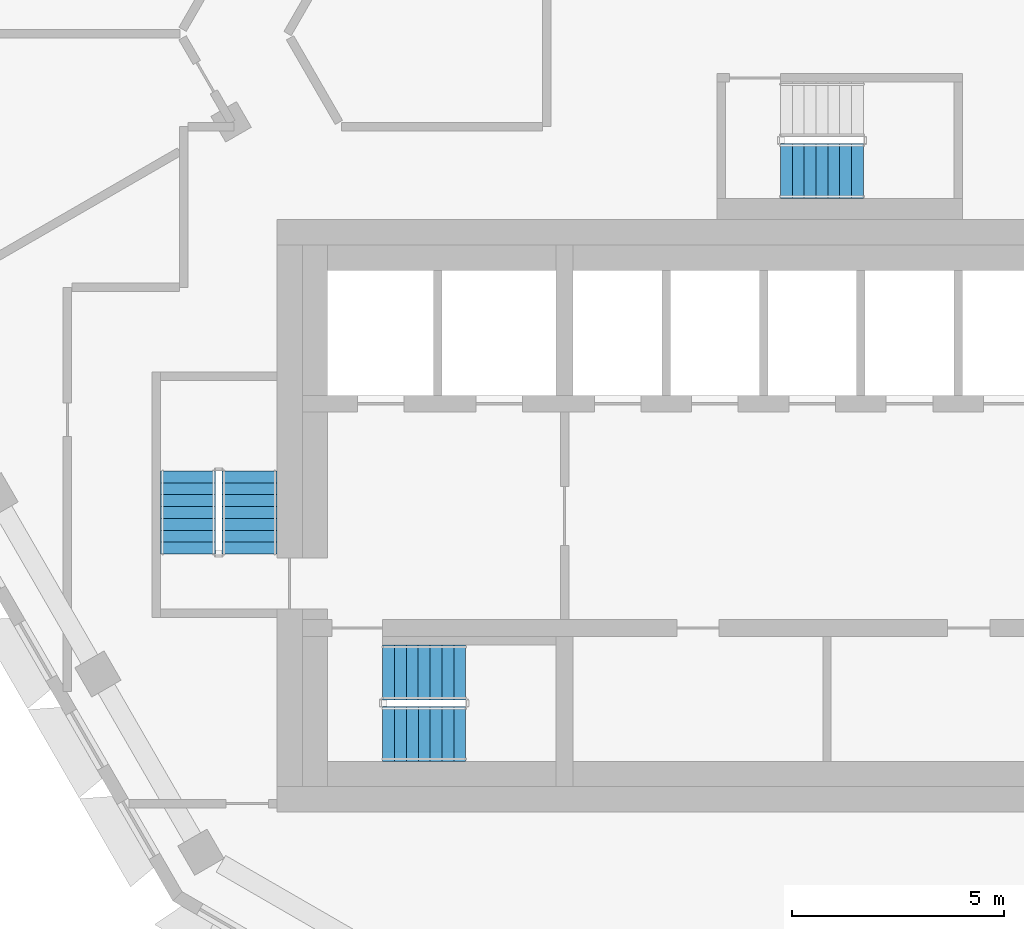
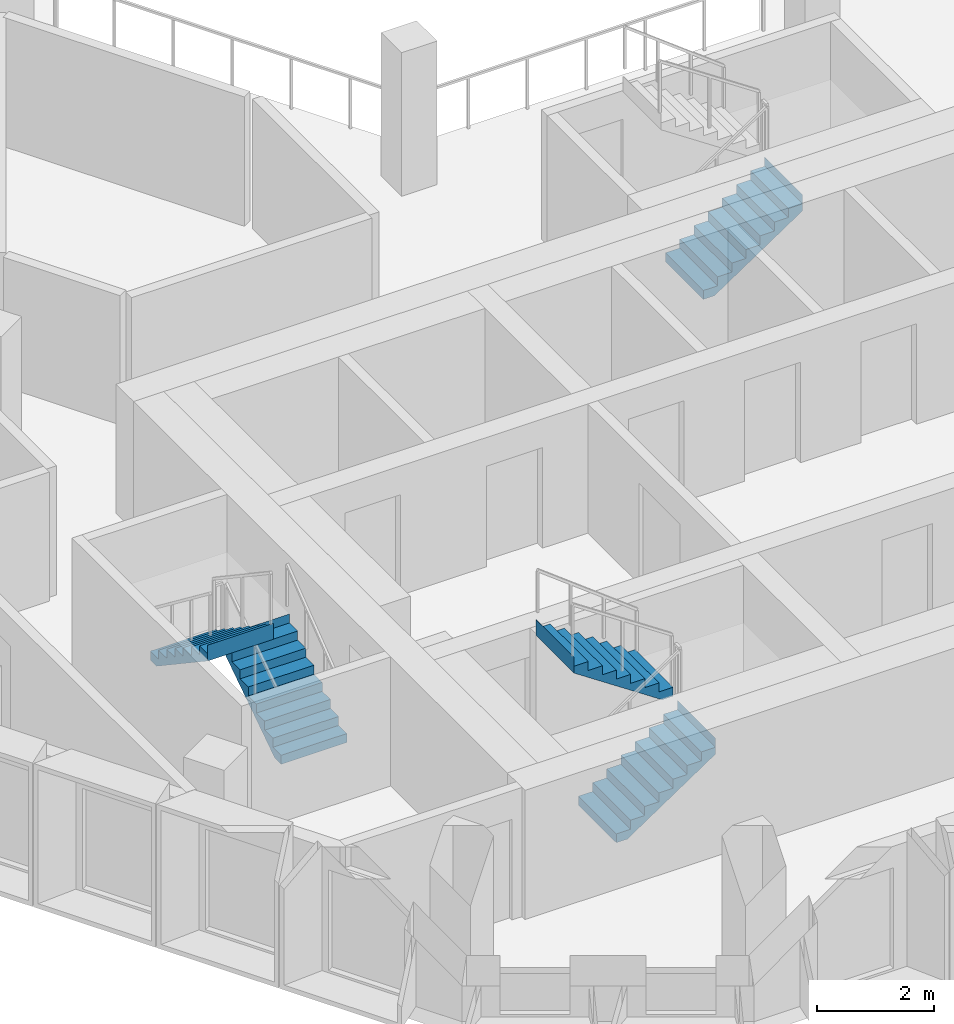
# One storey, part 11 of 17: 5 stair flights, 3 elements without a shape of their own.
"""IFC4 building model written with IfcOpenShell, lengths in metres."""

from ifc_helpers import new_model, si_unit, direction, frame, origin, place, context, subcontext, project, spatial, triangles, material, type_object, element, aggregate, save


model = new_model("IFC4")

# Units and contexts
model_context = context("Model", 3, precision=1e-05, world=origin(), true_north=direction((0.0, 1.0)))
body_context = subcontext(model_context, "Body", "Model", "MODEL_VIEW")
ifc_project = project(units=[si_unit("LENGTHUNIT", "METRE"), si_unit("AREAUNIT", "SQUARE_METRE"), si_unit("VOLUMEUNIT", "CUBIC_METRE"), si_unit("PLANEANGLEUNIT", "RADIAN"), si_unit("MASSUNIT", "GRAM", prefix="KILO")], contexts=[model_context])

# Site, building, storey
site_placement = place(None, origin())
site = spatial("IfcSite", under=ifc_project, at=site_placement, CompositionType="ELEMENT")
building_placement = place(site_placement, origin())
building = spatial("IfcBuilding", under=site, at=building_placement, Name="Beryl Residences", CompositionType="ELEMENT")
storey_placement = place(building_placement, frame((0.0, 0.0, 178.199951171875)))
storey = spatial("IfcBuildingStorey", under=building, at=storey_placement, Name="L54", CompositionType="ELEMENT", Elevation=178.199951171875)

# Stair, stair flights
ifc_material_1 = material(Name="Concrete C40/50", Category="concrete")
stair_type = type_object("IfcStairType", Name="ST1 protected exit stair, half-turn, 1300 mm flights", PredefinedType="HALF_TURN_STAIR", material=ifc_material_1)
stair_1_placement = place(storey_placement, origin())
stair_1 = element("IfcStair", 1, at=stair_1_placement, inside=storey, type_object=stair_type, Name="L54 PROTECTED EXIT STAIR ST-1", PredefinedType="HALF_TURN_STAIR")
ifc_material_2 = material(Name="Concrete C40/50", Category="concrete")
stair_flight_type = type_object("IfcStairFlightType", Name="SF1 stair flight 1300 mm", PredefinedType="STRAIGHT", material=ifc_material_2)
stair_flight_1_placement = place(storey_placement, frame((-10.800048828125, -17.14990234375, 0.0), z_axis=(0.0, 0.0, 1.0), x_axis=(1.0, 0.0, 0.0)))
stair_flight_1 = element("IfcStairFlight", 2, at=stair_flight_1_placement, type_object=stair_flight_type, Name="ST-1 flight 1", NumberOfRisers=8, NumberOfTreads=7, PredefinedType="STRAIGHT", RiserHeight=0.1875, TreadLength=0.28, context=body_context, shape_type="Tessellation", body=[
    triangles([(0.0, -0.64990234375, 0.0), (0.0, -0.324951171875, 0.0), (0.0, 0.0, 0.0), (0.0, 0.324951171875, 0.0), (0.0, 0.64990234375, 0.0), (0.0, -0.64990234375, 0.1875), (0.0, -0.324951171875, 0.1875), (0.0, 0.0, 0.1875), (0.0, 0.324951171875, 0.1875), (0.0, 0.64990234375, 0.1875), (0.280029296875, -0.64990234375, 0.1875), (0.280029296875, -0.324951171875, 0.1875), (0.280029296875, 0.0, 0.1875), (0.280029296875, 0.324951171875, 0.1875), (0.280029296875, 0.64990234375, 0.1875), (0.280029296875, -0.64990234375, 0.375), (0.280029296875, -0.324951171875, 0.375), (0.280029296875, 0.0, 0.375), (0.280029296875, 0.324951171875, 0.375), (0.280029296875, 0.64990234375, 0.375), (0.56005859375, -0.64990234375, 0.375), (0.56005859375, -0.324951171875, 0.375), (0.56005859375, 0.0, 0.375), (0.56005859375, 0.324951171875, 0.375), (0.56005859375, 0.64990234375, 0.375), (0.56005859375, -0.64990234375, 0.5625), (0.56005859375, -0.324951171875, 0.5625), (0.56005859375, 0.0, 0.5625), (0.56005859375, 0.324951171875, 0.5625), (0.56005859375, 0.64990234375, 0.5625), (0.840087890625, -0.64990234375, 0.5625), (0.840087890625, -0.324951171875, 0.5625), (0.840087890625, 0.0, 0.5625), (0.840087890625, 0.324951171875, 0.5625), (0.840087890625, 0.64990234375, 0.5625), (0.840087890625, -0.64990234375, 0.75), (0.840087890625, -0.324951171875, 0.75), (0.840087890625, 0.0, 0.75), (0.840087890625, 0.324951171875, 0.75), (0.840087890625, 0.64990234375, 0.75), (1.1201171875, -0.64990234375, 0.75), (1.1201171875, -0.324951171875, 0.75), (1.1201171875, 0.0, 0.75), (1.1201171875, 0.324951171875, 0.75), (1.1201171875, 0.64990234375, 0.75), (1.1201171875, -0.64990234375, 0.9375), (1.1201171875, -0.324951171875, 0.9375), (1.1201171875, 0.0, 0.9375), (1.1201171875, 0.324951171875, 0.9375), (1.1201171875, 0.64990234375, 0.9375), (1.39990234375, -0.64990234375, 0.9375), (1.39990234375, -0.324951171875, 0.9375), (1.39990234375, 0.0, 0.9375), (1.39990234375, 0.324951171875, 0.9375), (1.39990234375, 0.64990234375, 0.9375), (1.39990234375, -0.64990234375, 1.125), (1.39990234375, -0.324951171875, 1.125), (1.39990234375, 0.0, 1.125), (1.39990234375, 0.324951171875, 1.125), (1.39990234375, 0.64990234375, 1.125), (1.679931640625, -0.64990234375, 1.125), (1.679931640625, -0.324951171875, 1.125), (1.679931640625, 0.0, 1.125), (1.679931640625, 0.324951171875, 1.125), (1.679931640625, 0.64990234375, 1.125), (1.679931640625, -0.64990234375, 1.3125), (1.679931640625, -0.324951171875, 1.3125), (1.679931640625, 0.0, 1.3125), (1.679931640625, 0.324951171875, 1.3125), (1.679931640625, 0.64990234375, 1.3125), (1.9599609375, -0.64990234375, 1.3125), (1.9599609375, -0.324951171875, 1.3125), (1.9599609375, 0.0, 1.3125), (1.9599609375, 0.324951171875, 1.3125), (1.9599609375, 0.64990234375, 1.3125), (1.9599609375, -0.64990234375, 1.5), (1.9599609375, -0.324951171875, 1.5), (1.9599609375, 0.0, 1.5), (1.9599609375, 0.324951171875, 1.5), (1.9599609375, 0.64990234375, 1.5), (1.9609375, -0.64990234375, 1.5), (1.9609375, -0.324951171875, 1.5), (1.9609375, 0.0, 1.5), (1.9609375, 0.324951171875, 1.5), (1.9609375, 0.64990234375, 1.5), (1.9609375, -0.64990234375, 1.16796875), (1.9609375, -0.324951171875, 1.16796875), (1.9609375, 0.0, 1.16796875), (1.9609375, 0.324951171875, 1.16796875), (1.9609375, 0.64990234375, 1.16796875), (0.216796875, -0.64990234375, 0.0), (0.216796875, -0.324951171875, 0.0), (0.216796875, 0.0, 0.0), (0.216796875, 0.324951171875, 0.0), (0.216796875, 0.64990234375, 0.0)], [[1, 6, 7], [1, 7, 2], [2, 7, 8], [2, 8, 3], [3, 8, 9], [3, 9, 4], [4, 9, 10], [4, 10, 5], [6, 11, 12], [6, 12, 7], [7, 12, 13], [7, 13, 8], [8, 13, 14], [8, 14, 9], [9, 14, 15], [9, 15, 10], [11, 16, 17], [11, 17, 12], [12, 17, 18], [12, 18, 13], [13, 18, 19], [13, 19, 14], [14, 19, 20], [14, 20, 15], [16, 21, 22], [16, 22, 17], [17, 22, 23], [17, 23, 18], [18, 23, 24], [18, 24, 19], [19, 24, 25], [19, 25, 20], [21, 26, 27], [21, 27, 22], [22, 27, 28], [22, 28, 23], [23, 28, 29], [23, 29, 24], [24, 29, 30], [24, 30, 25], [26, 31, 32], [26, 32, 27], [27, 32, 33], [27, 33, 28], [28, 33, 34], [28, 34, 29], [29, 34, 35], [29, 35, 30], [31, 36, 37], [31, 37, 32], [32, 37, 38], [32, 38, 33], [33, 38, 39], [33, 39, 34], [34, 39, 40], [34, 40, 35], [36, 41, 42], [36, 42, 37], [37, 42, 43], [37, 43, 38], [38, 43, 44], [38, 44, 39], [39, 44, 45], [39, 45, 40], [41, 46, 47], [41, 47, 42], [42, 47, 48], [42, 48, 43], [43, 48, 49], [43, 49, 44], [44, 49, 50], [44, 50, 45], [46, 51, 52], [46, 52, 47], [47, 52, 53], [47, 53, 48], [48, 53, 54], [48, 54, 49], [49, 54, 55], [49, 55, 50], [51, 56, 57], [51, 57, 52], [52, 57, 58], [52, 58, 53], [53, 58, 59], [53, 59, 54], [54, 59, 60], [54, 60, 55], [56, 61, 62], [56, 62, 57], [57, 62, 63], [57, 63, 58], [58, 63, 64], [58, 64, 59], [59, 64, 65], [59, 65, 60], [61, 66, 67], [61, 67, 62], [62, 67, 68], [62, 68, 63], [63, 68, 69], [63, 69, 64], [64, 69, 70], [64, 70, 65], [66, 71, 72], [66, 72, 67], [67, 72, 73], [67, 73, 68], [68, 73, 74], [68, 74, 69], [69, 74, 75], [69, 75, 70], [71, 76, 77], [71, 77, 72], [72, 77, 78], [72, 78, 73], [73, 78, 79], [73, 79, 74], [74, 79, 80], [74, 80, 75], [76, 81, 82], [76, 82, 77], [77, 82, 83], [77, 83, 78], [78, 83, 84], [78, 84, 79], [79, 84, 85], [79, 85, 80], [81, 86, 87], [81, 87, 82], [82, 87, 88], [82, 88, 83], [83, 88, 89], [83, 89, 84], [84, 89, 90], [84, 90, 85], [86, 91, 92], [86, 92, 87], [87, 92, 93], [87, 93, 88], [88, 93, 94], [88, 94, 89], [89, 94, 95], [89, 95, 90], [91, 1, 2], [91, 2, 92], [92, 2, 3], [92, 3, 93], [93, 3, 4], [93, 4, 94], [94, 4, 5], [94, 5, 95], [1, 91, 86], [5, 90, 95], [86, 81, 76], [90, 80, 85], [86, 76, 71], [90, 75, 80], [86, 71, 66], [90, 70, 75], [86, 66, 61], [90, 65, 70], [61, 56, 51], [65, 55, 60], [86, 61, 51], [90, 55, 65], [51, 46, 41], [55, 45, 50], [86, 51, 41], [90, 45, 55], [41, 36, 31], [45, 35, 40], [86, 41, 31], [90, 35, 45], [31, 26, 21], [35, 25, 30], [86, 31, 21], [90, 25, 35], [21, 16, 11], [25, 15, 20], [86, 21, 11], [90, 15, 25], [1, 86, 11], [5, 15, 90], [11, 6, 1], [15, 5, 10]], closed=True),
])
stair_flight_2_placement = place(storey_placement, frame((-8.840087890625, -15.699951171875, 1.5), z_axis=(0.0, 0.0, 1.0), x_axis=(-1.0, 0.0, 0.0)))
stair_flight_2 = element("IfcStairFlight", 3, at=stair_flight_2_placement, type_object=stair_flight_type, Name="ST-1 flight 2", NumberOfRisers=8, NumberOfTreads=7, PredefinedType="STRAIGHT", RiserHeight=0.1875, TreadLength=0.28, context=body_context, shape_type="Tessellation", body=[
    triangles([(0.0, -0.64990234375, 0.0), (0.0, -0.324951171875, 0.0), (0.0, 0.0, 0.0), (0.0, 0.324951171875, 0.0), (0.0, 0.64990234375, 0.0), (0.0, -0.64990234375, 0.1875), (0.0, -0.324951171875, 0.1875), (0.0, 0.0, 0.1875), (0.0, 0.324951171875, 0.1875), (0.0, 0.64990234375, 0.1875), (0.280029296875, -0.64990234375, 0.1875), (0.280029296875, -0.324951171875, 0.1875), (0.280029296875, 0.0, 0.1875), (0.280029296875, 0.324951171875, 0.1875), (0.280029296875, 0.64990234375, 0.1875), (0.280029296875, -0.64990234375, 0.375), (0.280029296875, -0.324951171875, 0.375), (0.280029296875, 0.0, 0.375), (0.280029296875, 0.324951171875, 0.375), (0.280029296875, 0.64990234375, 0.375), (0.56005859375, -0.64990234375, 0.375), (0.56005859375, -0.324951171875, 0.375), (0.56005859375, 0.0, 0.375), (0.56005859375, 0.324951171875, 0.375), (0.56005859375, 0.64990234375, 0.375), (0.56005859375, -0.64990234375, 0.5625), (0.56005859375, -0.324951171875, 0.5625), (0.56005859375, 0.0, 0.5625), (0.56005859375, 0.324951171875, 0.5625), (0.56005859375, 0.64990234375, 0.5625), (0.840087890625, -0.64990234375, 0.5625), (0.840087890625, -0.324951171875, 0.5625), (0.840087890625, 0.0, 0.5625), (0.840087890625, 0.324951171875, 0.5625), (0.840087890625, 0.64990234375, 0.5625), (0.840087890625, -0.64990234375, 0.75), (0.840087890625, -0.324951171875, 0.75), (0.840087890625, 0.0, 0.75), (0.840087890625, 0.324951171875, 0.75), (0.840087890625, 0.64990234375, 0.75), (1.1201171875, -0.64990234375, 0.75), (1.1201171875, -0.324951171875, 0.75), (1.1201171875, 0.0, 0.75), (1.1201171875, 0.324951171875, 0.75), (1.1201171875, 0.64990234375, 0.75), (1.1201171875, -0.64990234375, 0.9375), (1.1201171875, -0.324951171875, 0.9375), (1.1201171875, 0.0, 0.9375), (1.1201171875, 0.324951171875, 0.9375), (1.1201171875, 0.64990234375, 0.9375), (1.39990234375, -0.64990234375, 0.9375), (1.39990234375, -0.324951171875, 0.9375), (1.39990234375, 0.0, 0.9375), (1.39990234375, 0.324951171875, 0.9375), (1.39990234375, 0.64990234375, 0.9375), (1.39990234375, -0.64990234375, 1.125), (1.39990234375, -0.324951171875, 1.125), (1.39990234375, 0.0, 1.125), (1.39990234375, 0.324951171875, 1.125), (1.39990234375, 0.64990234375, 1.125), (1.679931640625, -0.64990234375, 1.125), (1.679931640625, -0.324951171875, 1.125), (1.679931640625, 0.0, 1.125), (1.679931640625, 0.324951171875, 1.125), (1.679931640625, 0.64990234375, 1.125), (1.679931640625, -0.64990234375, 1.3125), (1.679931640625, -0.324951171875, 1.3125), (1.679931640625, 0.0, 1.3125), (1.679931640625, 0.324951171875, 1.3125), (1.679931640625, 0.64990234375, 1.3125), (1.9599609375, -0.64990234375, 1.3125), (1.9599609375, -0.324951171875, 1.3125), (1.9599609375, 0.0, 1.3125), (1.9599609375, 0.324951171875, 1.3125), (1.9599609375, 0.64990234375, 1.3125), (1.9599609375, -0.64990234375, 1.5), (1.9599609375, -0.324951171875, 1.5), (1.9599609375, 0.0, 1.5), (1.9599609375, 0.324951171875, 1.5), (1.9599609375, 0.64990234375, 1.5), (1.9609375, -0.64990234375, 1.5), (1.9609375, -0.324951171875, 1.5), (1.9609375, 0.0, 1.5), (1.9609375, 0.324951171875, 1.5), (1.9609375, 0.64990234375, 1.5), (1.9609375, -0.64990234375, 1.16796875), (1.9609375, -0.324951171875, 1.16796875), (1.9609375, 0.0, 1.16796875), (1.9609375, 0.324951171875, 1.16796875), (1.9609375, 0.64990234375, 1.16796875), (0.216796875, -0.64990234375, 0.0), (0.216796875, -0.324951171875, 0.0), (0.216796875, 0.0, 0.0), (0.216796875, 0.324951171875, 0.0), (0.216796875, 0.64990234375, 0.0)], [[1, 6, 7], [1, 7, 2], [2, 7, 8], [2, 8, 3], [3, 8, 9], [3, 9, 4], [4, 9, 10], [4, 10, 5], [6, 11, 12], [6, 12, 7], [7, 12, 13], [7, 13, 8], [8, 13, 14], [8, 14, 9], [9, 14, 15], [9, 15, 10], [11, 16, 17], [11, 17, 12], [12, 17, 18], [12, 18, 13], [13, 18, 19], [13, 19, 14], [14, 19, 20], [14, 20, 15], [16, 21, 22], [16, 22, 17], [17, 22, 23], [17, 23, 18], [18, 23, 24], [18, 24, 19], [19, 24, 25], [19, 25, 20], [21, 26, 27], [21, 27, 22], [22, 27, 28], [22, 28, 23], [23, 28, 29], [23, 29, 24], [24, 29, 30], [24, 30, 25], [26, 31, 32], [26, 32, 27], [27, 32, 33], [27, 33, 28], [28, 33, 34], [28, 34, 29], [29, 34, 35], [29, 35, 30], [31, 36, 37], [31, 37, 32], [32, 37, 38], [32, 38, 33], [33, 38, 39], [33, 39, 34], [34, 39, 40], [34, 40, 35], [36, 41, 42], [36, 42, 37], [37, 42, 43], [37, 43, 38], [38, 43, 44], [38, 44, 39], [39, 44, 45], [39, 45, 40], [41, 46, 47], [41, 47, 42], [42, 47, 48], [42, 48, 43], [43, 48, 49], [43, 49, 44], [44, 49, 50], [44, 50, 45], [46, 51, 52], [46, 52, 47], [47, 52, 53], [47, 53, 48], [48, 53, 54], [48, 54, 49], [49, 54, 55], [49, 55, 50], [51, 56, 57], [51, 57, 52], [52, 57, 58], [52, 58, 53], [53, 58, 59], [53, 59, 54], [54, 59, 60], [54, 60, 55], [56, 61, 62], [56, 62, 57], [57, 62, 63], [57, 63, 58], [58, 63, 64], [58, 64, 59], [59, 64, 65], [59, 65, 60], [61, 66, 67], [61, 67, 62], [62, 67, 68], [62, 68, 63], [63, 68, 69], [63, 69, 64], [64, 69, 70], [64, 70, 65], [66, 71, 72], [66, 72, 67], [67, 72, 73], [67, 73, 68], [68, 73, 74], [68, 74, 69], [69, 74, 75], [69, 75, 70], [71, 76, 77], [71, 77, 72], [72, 77, 78], [72, 78, 73], [73, 78, 79], [73, 79, 74], [74, 79, 80], [74, 80, 75], [76, 81, 82], [76, 82, 77], [77, 82, 83], [77, 83, 78], [78, 83, 84], [78, 84, 79], [79, 84, 85], [79, 85, 80], [81, 86, 87], [81, 87, 82], [82, 87, 88], [82, 88, 83], [83, 88, 89], [83, 89, 84], [84, 89, 90], [84, 90, 85], [86, 91, 92], [86, 92, 87], [87, 92, 93], [87, 93, 88], [88, 93, 94], [88, 94, 89], [89, 94, 95], [89, 95, 90], [91, 1, 2], [91, 2, 92], [92, 2, 3], [92, 3, 93], [93, 3, 4], [93, 4, 94], [94, 4, 5], [94, 5, 95], [1, 91, 86], [5, 90, 95], [86, 81, 76], [90, 80, 85], [86, 76, 71], [90, 75, 80], [86, 71, 66], [90, 70, 75], [86, 66, 61], [90, 65, 70], [61, 56, 51], [65, 55, 60], [86, 61, 51], [90, 55, 65], [51, 46, 41], [55, 45, 50], [86, 51, 41], [90, 45, 55], [41, 36, 31], [45, 35, 40], [86, 41, 31], [90, 35, 45], [31, 26, 21], [35, 25, 30], [86, 31, 21], [90, 25, 35], [21, 16, 11], [25, 15, 20], [86, 21, 11], [90, 15, 25], [1, 86, 11], [5, 15, 90], [11, 6, 1], [15, 5, 10]], closed=True),
])
aggregate(stair_1, [stair_flight_1, stair_flight_2])

stair_2_placement = place(storey_placement, origin())
stair_2 = element("IfcStair", 4, at=stair_2_placement, inside=storey, type_object=stair_type, Name="L54 PROTECTED EXIT STAIR ST-2", PredefinedType="HALF_TURN_STAIR")
stair_flight_3_placement = place(storey_placement, frame((-13.949951171875, -12.89990234375, 0.0), z_axis=(0.0, 0.0, 1.0), x_axis=(0.0, 1.0, 0.0)))
stair_flight_3 = element("IfcStairFlight", 5, at=stair_flight_3_placement, type_object=stair_flight_type, Name="ST-2 flight 1", NumberOfRisers=8, NumberOfTreads=7, PredefinedType="STRAIGHT", RiserHeight=0.1875, TreadLength=0.28, context=body_context, shape_type="Tessellation", body=[
    triangles([(0.0, -0.64990234375, 0.0), (0.0, -0.324951171875, 0.0), (0.0, 0.0, 0.0), (0.0, 0.324951171875, 0.0), (0.0, 0.64990234375, 0.0), (0.0, -0.64990234375, 0.1875), (0.0, -0.324951171875, 0.1875), (0.0, 0.0, 0.1875), (0.0, 0.324951171875, 0.1875), (0.0, 0.64990234375, 0.1875), (0.280029296875, -0.64990234375, 0.1875), (0.280029296875, -0.324951171875, 0.1875), (0.280029296875, 0.0, 0.1875), (0.280029296875, 0.324951171875, 0.1875), (0.280029296875, 0.64990234375, 0.1875), (0.280029296875, -0.64990234375, 0.375), (0.280029296875, -0.324951171875, 0.375), (0.280029296875, 0.0, 0.375), (0.280029296875, 0.324951171875, 0.375), (0.280029296875, 0.64990234375, 0.375), (0.56005859375, -0.64990234375, 0.375), (0.56005859375, -0.324951171875, 0.375), (0.56005859375, 0.0, 0.375), (0.56005859375, 0.324951171875, 0.375), (0.56005859375, 0.64990234375, 0.375), (0.56005859375, -0.64990234375, 0.5625), (0.56005859375, -0.324951171875, 0.5625), (0.56005859375, 0.0, 0.5625), (0.56005859375, 0.324951171875, 0.5625), (0.56005859375, 0.64990234375, 0.5625), (0.840087890625, -0.64990234375, 0.5625), (0.840087890625, -0.324951171875, 0.5625), (0.840087890625, 0.0, 0.5625), (0.840087890625, 0.324951171875, 0.5625), (0.840087890625, 0.64990234375, 0.5625), (0.840087890625, -0.64990234375, 0.75), (0.840087890625, -0.324951171875, 0.75), (0.840087890625, 0.0, 0.75), (0.840087890625, 0.324951171875, 0.75), (0.840087890625, 0.64990234375, 0.75), (1.1201171875, -0.64990234375, 0.75), (1.1201171875, -0.324951171875, 0.75), (1.1201171875, 0.0, 0.75), (1.1201171875, 0.324951171875, 0.75), (1.1201171875, 0.64990234375, 0.75), (1.1201171875, -0.64990234375, 0.9375), (1.1201171875, -0.324951171875, 0.9375), (1.1201171875, 0.0, 0.9375), (1.1201171875, 0.324951171875, 0.9375), (1.1201171875, 0.64990234375, 0.9375), (1.39990234375, -0.64990234375, 0.9375), (1.39990234375, -0.324951171875, 0.9375), (1.39990234375, 0.0, 0.9375), (1.39990234375, 0.324951171875, 0.9375), (1.39990234375, 0.64990234375, 0.9375), (1.39990234375, -0.64990234375, 1.125), (1.39990234375, -0.324951171875, 1.125), (1.39990234375, 0.0, 1.125), (1.39990234375, 0.324951171875, 1.125), (1.39990234375, 0.64990234375, 1.125), (1.679931640625, -0.64990234375, 1.125), (1.679931640625, -0.324951171875, 1.125), (1.679931640625, 0.0, 1.125), (1.679931640625, 0.324951171875, 1.125), (1.679931640625, 0.64990234375, 1.125), (1.679931640625, -0.64990234375, 1.3125), (1.679931640625, -0.324951171875, 1.3125), (1.679931640625, 0.0, 1.3125), (1.679931640625, 0.324951171875, 1.3125), (1.679931640625, 0.64990234375, 1.3125), (1.9599609375, -0.64990234375, 1.3125), (1.9599609375, -0.324951171875, 1.3125), (1.9599609375, 0.0, 1.3125), (1.9599609375, 0.324951171875, 1.3125), (1.9599609375, 0.64990234375, 1.3125), (1.9599609375, -0.64990234375, 1.5), (1.9599609375, -0.324951171875, 1.5), (1.9599609375, 0.0, 1.5), (1.9599609375, 0.324951171875, 1.5), (1.9599609375, 0.64990234375, 1.5), (1.9609375, -0.64990234375, 1.5), (1.9609375, -0.324951171875, 1.5), (1.9609375, 0.0, 1.5), (1.9609375, 0.324951171875, 1.5), (1.9609375, 0.64990234375, 1.5), (1.9609375, -0.64990234375, 1.16796875), (1.9609375, -0.324951171875, 1.16796875), (1.9609375, 0.0, 1.16796875), (1.9609375, 0.324951171875, 1.16796875), (1.9609375, 0.64990234375, 1.16796875), (0.216796875, -0.64990234375, 0.0), (0.216796875, -0.324951171875, 0.0), (0.216796875, 0.0, 0.0), (0.216796875, 0.324951171875, 0.0), (0.216796875, 0.64990234375, 0.0)], [[1, 6, 7], [1, 7, 2], [2, 7, 8], [2, 8, 3], [3, 8, 9], [3, 9, 4], [4, 9, 10], [4, 10, 5], [6, 11, 12], [6, 12, 7], [7, 12, 13], [7, 13, 8], [8, 13, 14], [8, 14, 9], [9, 14, 15], [9, 15, 10], [11, 16, 17], [11, 17, 12], [12, 17, 18], [12, 18, 13], [13, 18, 19], [13, 19, 14], [14, 19, 20], [14, 20, 15], [16, 21, 22], [16, 22, 17], [17, 22, 23], [17, 23, 18], [18, 23, 24], [18, 24, 19], [19, 24, 25], [19, 25, 20], [21, 26, 27], [21, 27, 22], [22, 27, 28], [22, 28, 23], [23, 28, 29], [23, 29, 24], [24, 29, 30], [24, 30, 25], [26, 31, 32], [26, 32, 27], [27, 32, 33], [27, 33, 28], [28, 33, 34], [28, 34, 29], [29, 34, 35], [29, 35, 30], [31, 36, 37], [31, 37, 32], [32, 37, 38], [32, 38, 33], [33, 38, 39], [33, 39, 34], [34, 39, 40], [34, 40, 35], [36, 41, 42], [36, 42, 37], [37, 42, 43], [37, 43, 38], [38, 43, 44], [38, 44, 39], [39, 44, 45], [39, 45, 40], [41, 46, 47], [41, 47, 42], [42, 47, 48], [42, 48, 43], [43, 48, 49], [43, 49, 44], [44, 49, 50], [44, 50, 45], [46, 51, 52], [46, 52, 47], [47, 52, 53], [47, 53, 48], [48, 53, 54], [48, 54, 49], [49, 54, 55], [49, 55, 50], [51, 56, 57], [51, 57, 52], [52, 57, 58], [52, 58, 53], [53, 58, 59], [53, 59, 54], [54, 59, 60], [54, 60, 55], [56, 61, 62], [56, 62, 57], [57, 62, 63], [57, 63, 58], [58, 63, 64], [58, 64, 59], [59, 64, 65], [59, 65, 60], [61, 66, 67], [61, 67, 62], [62, 67, 68], [62, 68, 63], [63, 68, 69], [63, 69, 64], [64, 69, 70], [64, 70, 65], [66, 71, 72], [66, 72, 67], [67, 72, 73], [67, 73, 68], [68, 73, 74], [68, 74, 69], [69, 74, 75], [69, 75, 70], [71, 76, 77], [71, 77, 72], [72, 77, 78], [72, 78, 73], [73, 78, 79], [73, 79, 74], [74, 79, 80], [74, 80, 75], [76, 81, 82], [76, 82, 77], [77, 82, 83], [77, 83, 78], [78, 83, 84], [78, 84, 79], [79, 84, 85], [79, 85, 80], [81, 86, 87], [81, 87, 82], [82, 87, 88], [82, 88, 83], [83, 88, 89], [83, 89, 84], [84, 89, 90], [84, 90, 85], [86, 91, 92], [86, 92, 87], [87, 92, 93], [87, 93, 88], [88, 93, 94], [88, 94, 89], [89, 94, 95], [89, 95, 90], [91, 1, 2], [91, 2, 92], [92, 2, 3], [92, 3, 93], [93, 3, 4], [93, 4, 94], [94, 4, 5], [94, 5, 95], [1, 91, 86], [5, 90, 95], [86, 81, 76], [90, 80, 85], [86, 76, 71], [90, 75, 80], [86, 71, 66], [90, 70, 75], [86, 66, 61], [90, 65, 70], [61, 56, 51], [65, 55, 60], [86, 61, 51], [90, 55, 65], [51, 46, 41], [55, 45, 50], [86, 51, 41], [90, 45, 55], [41, 36, 31], [45, 35, 40], [86, 41, 31], [90, 35, 45], [31, 26, 21], [35, 25, 30], [86, 31, 21], [90, 25, 35], [21, 16, 11], [25, 15, 20], [86, 21, 11], [90, 15, 25], [1, 86, 11], [5, 15, 90], [11, 6, 1], [15, 5, 10]], closed=True),
])
stair_flight_4_placement = place(storey_placement, frame((-15.39990234375, -10.93994140625, 1.5), z_axis=(0.0, 0.0, 1.0), x_axis=(0.0, -1.0, 0.0)))
stair_flight_4 = element("IfcStairFlight", 6, at=stair_flight_4_placement, type_object=stair_flight_type, Name="ST-2 flight 2", NumberOfRisers=8, NumberOfTreads=7, PredefinedType="STRAIGHT", RiserHeight=0.1875, TreadLength=0.28, context=body_context, shape_type="Tessellation", body=[
    triangles([(0.0, -0.64990234375, 0.0), (0.0, -0.324951171875, 0.0), (0.0, 0.0, 0.0), (0.0, 0.324951171875, 0.0), (0.0, 0.64990234375, 0.0), (0.0, -0.64990234375, 0.1875), (0.0, -0.324951171875, 0.1875), (0.0, 0.0, 0.1875), (0.0, 0.324951171875, 0.1875), (0.0, 0.64990234375, 0.1875), (0.280029296875, -0.64990234375, 0.1875), (0.280029296875, -0.324951171875, 0.1875), (0.280029296875, 0.0, 0.1875), (0.280029296875, 0.324951171875, 0.1875), (0.280029296875, 0.64990234375, 0.1875), (0.280029296875, -0.64990234375, 0.375), (0.280029296875, -0.324951171875, 0.375), (0.280029296875, 0.0, 0.375), (0.280029296875, 0.324951171875, 0.375), (0.280029296875, 0.64990234375, 0.375), (0.56005859375, -0.64990234375, 0.375), (0.56005859375, -0.324951171875, 0.375), (0.56005859375, 0.0, 0.375), (0.56005859375, 0.324951171875, 0.375), (0.56005859375, 0.64990234375, 0.375), (0.56005859375, -0.64990234375, 0.5625), (0.56005859375, -0.324951171875, 0.5625), (0.56005859375, 0.0, 0.5625), (0.56005859375, 0.324951171875, 0.5625), (0.56005859375, 0.64990234375, 0.5625), (0.840087890625, -0.64990234375, 0.5625), (0.840087890625, -0.324951171875, 0.5625), (0.840087890625, 0.0, 0.5625), (0.840087890625, 0.324951171875, 0.5625), (0.840087890625, 0.64990234375, 0.5625), (0.840087890625, -0.64990234375, 0.75), (0.840087890625, -0.324951171875, 0.75), (0.840087890625, 0.0, 0.75), (0.840087890625, 0.324951171875, 0.75), (0.840087890625, 0.64990234375, 0.75), (1.1201171875, -0.64990234375, 0.75), (1.1201171875, -0.324951171875, 0.75), (1.1201171875, 0.0, 0.75), (1.1201171875, 0.324951171875, 0.75), (1.1201171875, 0.64990234375, 0.75), (1.1201171875, -0.64990234375, 0.9375), (1.1201171875, -0.324951171875, 0.9375), (1.1201171875, 0.0, 0.9375), (1.1201171875, 0.324951171875, 0.9375), (1.1201171875, 0.64990234375, 0.9375), (1.39990234375, -0.64990234375, 0.9375), (1.39990234375, -0.324951171875, 0.9375), (1.39990234375, 0.0, 0.9375), (1.39990234375, 0.324951171875, 0.9375), (1.39990234375, 0.64990234375, 0.9375), (1.39990234375, -0.64990234375, 1.125), (1.39990234375, -0.324951171875, 1.125), (1.39990234375, 0.0, 1.125), (1.39990234375, 0.324951171875, 1.125), (1.39990234375, 0.64990234375, 1.125), (1.679931640625, -0.64990234375, 1.125), (1.679931640625, -0.324951171875, 1.125), (1.679931640625, 0.0, 1.125), (1.679931640625, 0.324951171875, 1.125), (1.679931640625, 0.64990234375, 1.125), (1.679931640625, -0.64990234375, 1.3125), (1.679931640625, -0.324951171875, 1.3125), (1.679931640625, 0.0, 1.3125), (1.679931640625, 0.324951171875, 1.3125), (1.679931640625, 0.64990234375, 1.3125), (1.9599609375, -0.64990234375, 1.3125), (1.9599609375, -0.324951171875, 1.3125), (1.9599609375, 0.0, 1.3125), (1.9599609375, 0.324951171875, 1.3125), (1.9599609375, 0.64990234375, 1.3125), (1.9599609375, -0.64990234375, 1.5), (1.9599609375, -0.324951171875, 1.5), (1.9599609375, 0.0, 1.5), (1.9599609375, 0.324951171875, 1.5), (1.9599609375, 0.64990234375, 1.5), (1.9609375, -0.64990234375, 1.5), (1.9609375, -0.324951171875, 1.5), (1.9609375, 0.0, 1.5), (1.9609375, 0.324951171875, 1.5), (1.9609375, 0.64990234375, 1.5), (1.9609375, -0.64990234375, 1.16796875), (1.9609375, -0.324951171875, 1.16796875), (1.9609375, 0.0, 1.16796875), (1.9609375, 0.324951171875, 1.16796875), (1.9609375, 0.64990234375, 1.16796875), (0.216796875, -0.64990234375, 0.0), (0.216796875, -0.324951171875, 0.0), (0.216796875, 0.0, 0.0), (0.216796875, 0.324951171875, 0.0), (0.216796875, 0.64990234375, 0.0)], [[1, 6, 7], [1, 7, 2], [2, 7, 8], [2, 8, 3], [3, 8, 9], [3, 9, 4], [4, 9, 10], [4, 10, 5], [6, 11, 12], [6, 12, 7], [7, 12, 13], [7, 13, 8], [8, 13, 14], [8, 14, 9], [9, 14, 15], [9, 15, 10], [11, 16, 17], [11, 17, 12], [12, 17, 18], [12, 18, 13], [13, 18, 19], [13, 19, 14], [14, 19, 20], [14, 20, 15], [16, 21, 22], [16, 22, 17], [17, 22, 23], [17, 23, 18], [18, 23, 24], [18, 24, 19], [19, 24, 25], [19, 25, 20], [21, 26, 27], [21, 27, 22], [22, 27, 28], [22, 28, 23], [23, 28, 29], [23, 29, 24], [24, 29, 30], [24, 30, 25], [26, 31, 32], [26, 32, 27], [27, 32, 33], [27, 33, 28], [28, 33, 34], [28, 34, 29], [29, 34, 35], [29, 35, 30], [31, 36, 37], [31, 37, 32], [32, 37, 38], [32, 38, 33], [33, 38, 39], [33, 39, 34], [34, 39, 40], [34, 40, 35], [36, 41, 42], [36, 42, 37], [37, 42, 43], [37, 43, 38], [38, 43, 44], [38, 44, 39], [39, 44, 45], [39, 45, 40], [41, 46, 47], [41, 47, 42], [42, 47, 48], [42, 48, 43], [43, 48, 49], [43, 49, 44], [44, 49, 50], [44, 50, 45], [46, 51, 52], [46, 52, 47], [47, 52, 53], [47, 53, 48], [48, 53, 54], [48, 54, 49], [49, 54, 55], [49, 55, 50], [51, 56, 57], [51, 57, 52], [52, 57, 58], [52, 58, 53], [53, 58, 59], [53, 59, 54], [54, 59, 60], [54, 60, 55], [56, 61, 62], [56, 62, 57], [57, 62, 63], [57, 63, 58], [58, 63, 64], [58, 64, 59], [59, 64, 65], [59, 65, 60], [61, 66, 67], [61, 67, 62], [62, 67, 68], [62, 68, 63], [63, 68, 69], [63, 69, 64], [64, 69, 70], [64, 70, 65], [66, 71, 72], [66, 72, 67], [67, 72, 73], [67, 73, 68], [68, 73, 74], [68, 74, 69], [69, 74, 75], [69, 75, 70], [71, 76, 77], [71, 77, 72], [72, 77, 78], [72, 78, 73], [73, 78, 79], [73, 79, 74], [74, 79, 80], [74, 80, 75], [76, 81, 82], [76, 82, 77], [77, 82, 83], [77, 83, 78], [78, 83, 84], [78, 84, 79], [79, 84, 85], [79, 85, 80], [81, 86, 87], [81, 87, 82], [82, 87, 88], [82, 88, 83], [83, 88, 89], [83, 89, 84], [84, 89, 90], [84, 90, 85], [86, 91, 92], [86, 92, 87], [87, 92, 93], [87, 93, 88], [88, 93, 94], [88, 94, 89], [89, 94, 95], [89, 95, 90], [91, 1, 2], [91, 2, 92], [92, 2, 3], [92, 3, 93], [93, 3, 4], [93, 4, 94], [94, 4, 5], [94, 5, 95], [1, 91, 86], [5, 90, 95], [86, 81, 76], [90, 80, 85], [86, 76, 71], [90, 75, 80], [86, 71, 66], [90, 70, 75], [86, 66, 61], [90, 65, 70], [61, 56, 51], [65, 55, 60], [86, 61, 51], [90, 55, 65], [51, 46, 41], [55, 45, 50], [86, 51, 41], [90, 45, 55], [41, 36, 31], [45, 35, 40], [86, 41, 31], [90, 35, 45], [31, 26, 21], [35, 25, 30], [86, 31, 21], [90, 25, 35], [21, 16, 11], [25, 15, 20], [86, 21, 11], [90, 15, 25], [1, 86, 11], [5, 15, 90], [11, 6, 1], [15, 5, 10]], closed=True),
])
aggregate(stair_2, [stair_flight_3, stair_flight_4])

# Stair, stair flight
stair_3_placement = place(storey_placement, origin())
stair_3 = element("IfcStair", 7, at=stair_3_placement, inside=storey, type_object=stair_type, Name="L54 PROTECTED EXIT STAIR ST-4", PredefinedType="HALF_TURN_STAIR")
stair_flight_5_placement = place(storey_placement, frame((-1.39990234375, -3.85009765625, 0.0), z_axis=(0.0, 0.0, 1.0), x_axis=(1.0, 0.0, 0.0)))
stair_flight_5 = element("IfcStairFlight", 8, at=stair_flight_5_placement, type_object=stair_flight_type, Name="ST-4 flight 1", NumberOfRisers=8, NumberOfTreads=7, PredefinedType="STRAIGHT", RiserHeight=0.1875, TreadLength=0.28, context=body_context, shape_type="Tessellation", body=[
    triangles([(0.0, -0.64990234375, 0.0), (0.0, -0.324951171875, 0.0), (0.0, 0.0, 0.0), (0.0, 0.324951171875, 0.0), (0.0, 0.64990234375, 0.0), (0.0, -0.64990234375, 0.1875), (0.0, -0.324951171875, 0.1875), (0.0, 0.0, 0.1875), (0.0, 0.324951171875, 0.1875), (0.0, 0.64990234375, 0.1875), (0.280029296875, -0.64990234375, 0.1875), (0.280029296875, -0.324951171875, 0.1875), (0.280029296875, 0.0, 0.1875), (0.280029296875, 0.324951171875, 0.1875), (0.280029296875, 0.64990234375, 0.1875), (0.280029296875, -0.64990234375, 0.375), (0.280029296875, -0.324951171875, 0.375), (0.280029296875, 0.0, 0.375), (0.280029296875, 0.324951171875, 0.375), (0.280029296875, 0.64990234375, 0.375), (0.56005859375, -0.64990234375, 0.375), (0.56005859375, -0.324951171875, 0.375), (0.56005859375, 0.0, 0.375), (0.56005859375, 0.324951171875, 0.375), (0.56005859375, 0.64990234375, 0.375), (0.56005859375, -0.64990234375, 0.5625), (0.56005859375, -0.324951171875, 0.5625), (0.56005859375, 0.0, 0.5625), (0.56005859375, 0.324951171875, 0.5625), (0.56005859375, 0.64990234375, 0.5625), (0.840087890625, -0.64990234375, 0.5625), (0.840087890625, -0.324951171875, 0.5625), (0.840087890625, 0.0, 0.5625), (0.840087890625, 0.324951171875, 0.5625), (0.840087890625, 0.64990234375, 0.5625), (0.840087890625, -0.64990234375, 0.75), (0.840087890625, -0.324951171875, 0.75), (0.840087890625, 0.0, 0.75), (0.840087890625, 0.324951171875, 0.75), (0.840087890625, 0.64990234375, 0.75), (1.1201171875, -0.64990234375, 0.75), (1.1201171875, -0.324951171875, 0.75), (1.1201171875, 0.0, 0.75), (1.1201171875, 0.324951171875, 0.75), (1.1201171875, 0.64990234375, 0.75), (1.1201171875, -0.64990234375, 0.9375), (1.1201171875, -0.324951171875, 0.9375), (1.1201171875, 0.0, 0.9375), (1.1201171875, 0.324951171875, 0.9375), (1.1201171875, 0.64990234375, 0.9375), (1.39990234375, -0.64990234375, 0.9375), (1.39990234375, -0.324951171875, 0.9375), (1.39990234375, 0.0, 0.9375), (1.39990234375, 0.324951171875, 0.9375), (1.39990234375, 0.64990234375, 0.9375), (1.39990234375, -0.64990234375, 1.125), (1.39990234375, -0.324951171875, 1.125), (1.39990234375, 0.0, 1.125), (1.39990234375, 0.324951171875, 1.125), (1.39990234375, 0.64990234375, 1.125), (1.679931640625, -0.64990234375, 1.125), (1.679931640625, -0.324951171875, 1.125), (1.679931640625, 0.0, 1.125), (1.679931640625, 0.324951171875, 1.125), (1.679931640625, 0.64990234375, 1.125), (1.679931640625, -0.64990234375, 1.3125), (1.679931640625, -0.324951171875, 1.3125), (1.679931640625, 0.0, 1.3125), (1.679931640625, 0.324951171875, 1.3125), (1.679931640625, 0.64990234375, 1.3125), (1.9599609375, -0.64990234375, 1.3125), (1.9599609375, -0.324951171875, 1.3125), (1.9599609375, 0.0, 1.3125), (1.9599609375, 0.324951171875, 1.3125), (1.9599609375, 0.64990234375, 1.3125), (1.9599609375, -0.64990234375, 1.5), (1.9599609375, -0.324951171875, 1.5), (1.9599609375, 0.0, 1.5), (1.9599609375, 0.324951171875, 1.5), (1.9599609375, 0.64990234375, 1.5), (1.9609375, -0.64990234375, 1.5), (1.9609375, -0.324951171875, 1.5), (1.9609375, 0.0, 1.5), (1.9609375, 0.324951171875, 1.5), (1.9609375, 0.64990234375, 1.5), (1.9609375, -0.64990234375, 1.16796875), (1.9609375, -0.324951171875, 1.16796875), (1.9609375, 0.0, 1.16796875), (1.9609375, 0.324951171875, 1.16796875), (1.9609375, 0.64990234375, 1.16796875), (0.216796875, -0.64990234375, 0.0), (0.216796875, -0.324951171875, 0.0), (0.216796875, 0.0, 0.0), (0.216796875, 0.324951171875, 0.0), (0.216796875, 0.64990234375, 0.0)], [[1, 6, 7], [1, 7, 2], [2, 7, 8], [2, 8, 3], [3, 8, 9], [3, 9, 4], [4, 9, 10], [4, 10, 5], [6, 11, 12], [6, 12, 7], [7, 12, 13], [7, 13, 8], [8, 13, 14], [8, 14, 9], [9, 14, 15], [9, 15, 10], [11, 16, 17], [11, 17, 12], [12, 17, 18], [12, 18, 13], [13, 18, 19], [13, 19, 14], [14, 19, 20], [14, 20, 15], [16, 21, 22], [16, 22, 17], [17, 22, 23], [17, 23, 18], [18, 23, 24], [18, 24, 19], [19, 24, 25], [19, 25, 20], [21, 26, 27], [21, 27, 22], [22, 27, 28], [22, 28, 23], [23, 28, 29], [23, 29, 24], [24, 29, 30], [24, 30, 25], [26, 31, 32], [26, 32, 27], [27, 32, 33], [27, 33, 28], [28, 33, 34], [28, 34, 29], [29, 34, 35], [29, 35, 30], [31, 36, 37], [31, 37, 32], [32, 37, 38], [32, 38, 33], [33, 38, 39], [33, 39, 34], [34, 39, 40], [34, 40, 35], [36, 41, 42], [36, 42, 37], [37, 42, 43], [37, 43, 38], [38, 43, 44], [38, 44, 39], [39, 44, 45], [39, 45, 40], [41, 46, 47], [41, 47, 42], [42, 47, 48], [42, 48, 43], [43, 48, 49], [43, 49, 44], [44, 49, 50], [44, 50, 45], [46, 51, 52], [46, 52, 47], [47, 52, 53], [47, 53, 48], [48, 53, 54], [48, 54, 49], [49, 54, 55], [49, 55, 50], [51, 56, 57], [51, 57, 52], [52, 57, 58], [52, 58, 53], [53, 58, 59], [53, 59, 54], [54, 59, 60], [54, 60, 55], [56, 61, 62], [56, 62, 57], [57, 62, 63], [57, 63, 58], [58, 63, 64], [58, 64, 59], [59, 64, 65], [59, 65, 60], [61, 66, 67], [61, 67, 62], [62, 67, 68], [62, 68, 63], [63, 68, 69], [63, 69, 64], [64, 69, 70], [64, 70, 65], [66, 71, 72], [66, 72, 67], [67, 72, 73], [67, 73, 68], [68, 73, 74], [68, 74, 69], [69, 74, 75], [69, 75, 70], [71, 76, 77], [71, 77, 72], [72, 77, 78], [72, 78, 73], [73, 78, 79], [73, 79, 74], [74, 79, 80], [74, 80, 75], [76, 81, 82], [76, 82, 77], [77, 82, 83], [77, 83, 78], [78, 83, 84], [78, 84, 79], [79, 84, 85], [79, 85, 80], [81, 86, 87], [81, 87, 82], [82, 87, 88], [82, 88, 83], [83, 88, 89], [83, 89, 84], [84, 89, 90], [84, 90, 85], [86, 91, 92], [86, 92, 87], [87, 92, 93], [87, 93, 88], [88, 93, 94], [88, 94, 89], [89, 94, 95], [89, 95, 90], [91, 1, 2], [91, 2, 92], [92, 2, 3], [92, 3, 93], [93, 3, 4], [93, 4, 94], [94, 4, 5], [94, 5, 95], [1, 91, 86], [5, 90, 95], [86, 81, 76], [90, 80, 85], [86, 76, 71], [90, 75, 80], [86, 71, 66], [90, 70, 75], [86, 66, 61], [90, 65, 70], [61, 56, 51], [65, 55, 60], [86, 61, 51], [90, 55, 65], [51, 46, 41], [55, 45, 50], [86, 51, 41], [90, 45, 55], [41, 36, 31], [45, 35, 40], [86, 41, 31], [90, 35, 45], [31, 26, 21], [35, 25, 30], [86, 31, 21], [90, 25, 35], [21, 16, 11], [25, 15, 20], [86, 21, 11], [90, 15, 25], [1, 86, 11], [5, 15, 90], [11, 6, 1], [15, 5, 10]], closed=True),
])
aggregate(stair_3, [stair_flight_5])

save(model, "model.ifc")
